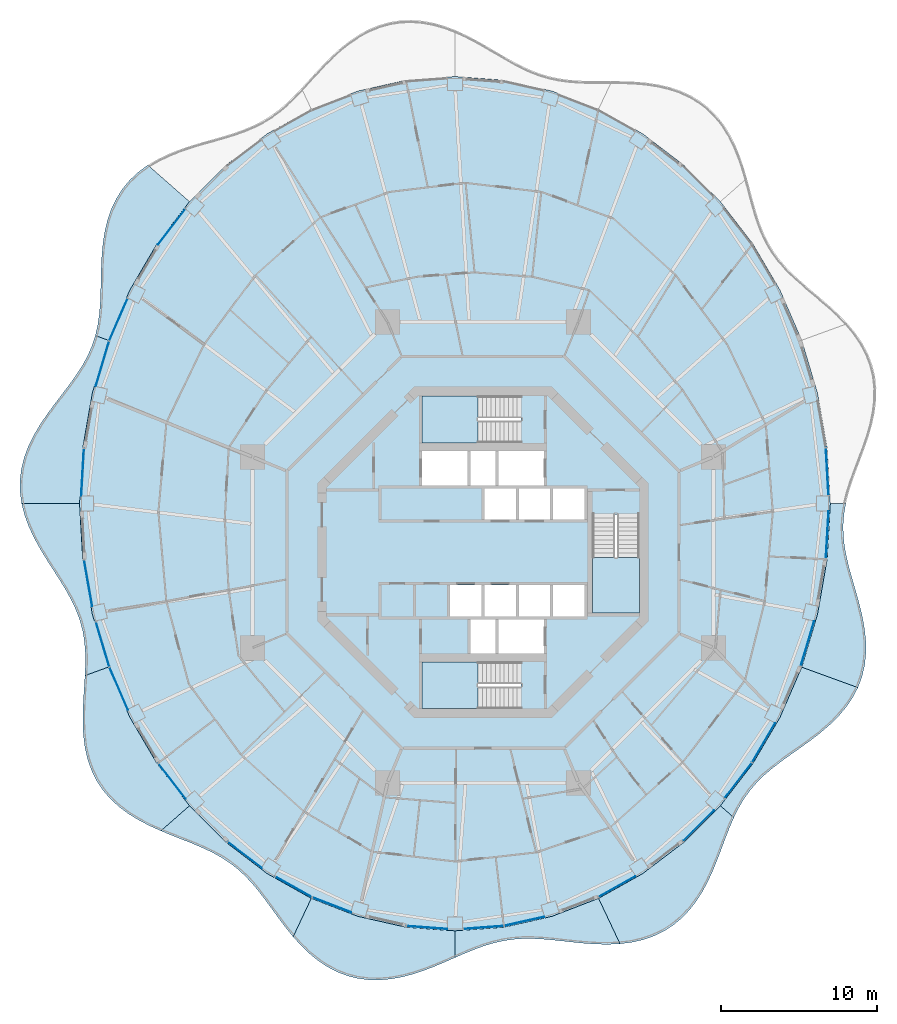
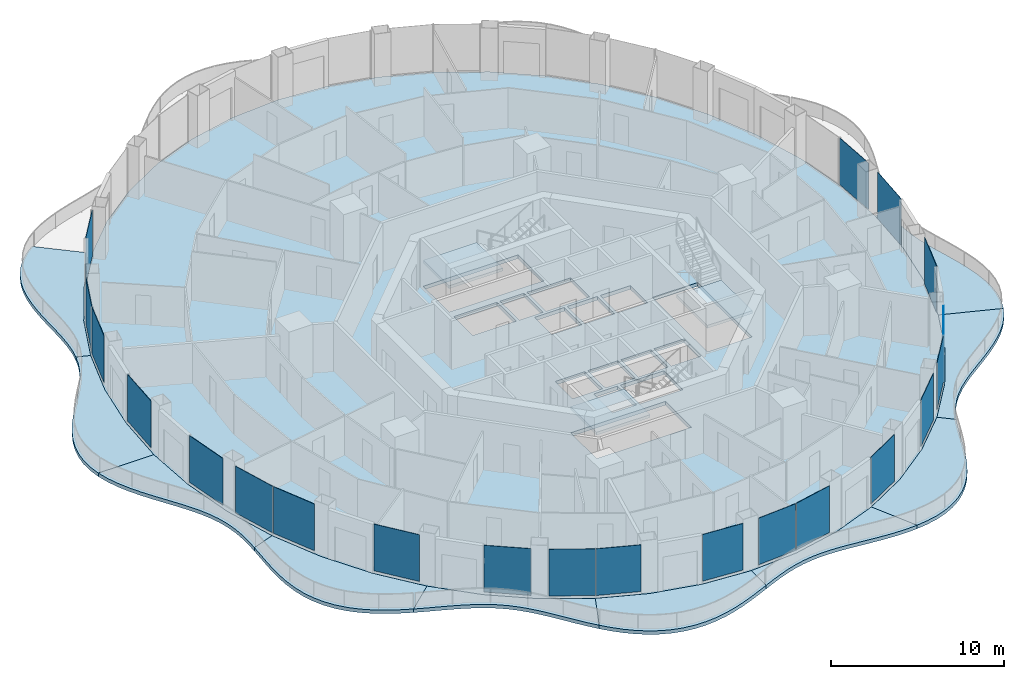
# One storey, part 8 of 18: 21 plates, 14 slabs, 24 elements without a shape of their own.
"""IFC4 building model written with IfcOpenShell, lengths in metres."""

from ifc_helpers import new_model, si_unit, direction, frame, origin, origin_2d, place, context, subcontext, project, spatial, polyline, rectangle, outline, extrude, material, layer, layer_set, type_object, element, aggregate, save


model = new_model("IFC4")

# Units and contexts
model_context = context("Model", 3, precision=1e-05, world=origin(), true_north=direction((0.0, 1.0)))
body_context = subcontext(model_context, "Body", "Model", "MODEL_VIEW")
ifc_project = project(units=[si_unit("LENGTHUNIT", "METRE"), si_unit("AREAUNIT", "SQUARE_METRE"), si_unit("VOLUMEUNIT", "CUBIC_METRE"), si_unit("PLANEANGLEUNIT", "RADIAN"), si_unit("MASSUNIT", "GRAM", prefix="KILO")], contexts=[model_context])

# Site, building, storey
site_placement = place(None, origin())
site = spatial("IfcSite", under=ifc_project, at=site_placement, CompositionType="ELEMENT")
building_placement = place(site_placement, origin())
building = spatial("IfcBuilding", under=site, at=building_placement, Name="Nagisa Residences", CompositionType="ELEMENT")
storey_placement = place(building_placement, frame((0.0, 0.0, 230.699951171875)))
storey = spatial("IfcBuildingStorey", under=building, at=storey_placement, Name="L58", CompositionType="ELEMENT", Elevation=230.699951171875)

# Slabs
ifc_material_1 = material(Name="Concrete C40/50", Category="concrete")
ifc_layer_1 = layer(ifc_material_1, 0.25)
ifc_layer_set_1 = layer_set([ifc_layer_1], Name="BALCONY SLAB 250")
slab_type_1 = type_object("IfcSlabType", Name="BALCONY SLAB 250", PredefinedType="FLOOR", material=ifc_layer_set_1)
slab_1_placement = place(storey_placement, frame((0.0, 0.0, -0.25)))
element("IfcSlab", 1, at=slab_1_placement, inside=storey, type_object=slab_type_1, Name="slab:L58:bal06", PredefinedType="FLOOR", context=body_context, shape_type="SweptSolid", body=[
    extrude(outline(polyline([(-21.48974609375, 24.83154296875), (-22.09912109375, 24.3818359375), (-22.644287109375, 23.87109375), (-23.117919921875, 23.300537109375), (-23.515380859375, 22.674072265625), (-23.83544921875, 21.99853515625), (-24.080810546875, 21.2822265625), (-24.25732421875, 20.5341796875), (-24.374267578125, 19.765380859375), (-24.443603515625, 18.986083984375), (-24.479736328125, 18.206298828125), (-24.498291015625, 17.43505859375), (-24.514892578125, 16.6796875), (-24.54541015625, 15.945556640625), (-24.6044921875, 15.236328125), (-24.704345703125, 14.5537109375), (-24.854248046875, 13.896728515625), (-24.037841796875, 13.599365234375), (-22.645263671875, 16.812744140625), (-20.89599609375, 19.791748046875), (-18.820068359375, 22.4853515625), (-21.48974609375, 24.83154296875)])), origin(), (0.0, 0.0, 1.0), 0.25),
])
slab_2_placement = place(storey_placement, frame((0.0, 0.0, -0.25)))
element("IfcSlab", 2, at=slab_2_placement, inside=storey, type_object=slab_type_1, Name="slab:L58:bal07", PredefinedType="FLOOR", context=body_context, shape_type="SweptSolid", body=[
    extrude(outline(polyline([(-24.854248046875, 13.896728515625), (-25.068359375, 13.242919921875), (-25.344970703125, 12.609130859375), (-25.682373046875, 11.98974609375), (-26.07421875, 11.3779296875), (-26.51025390625, 10.766845703125), (-26.976318359375, 10.150146484375), (-27.4560546875, 9.521728515625), (-27.930908203125, 8.877197265625), (-28.381591796875, 8.21337890625), (-28.78955078125, 7.529296875), (-29.13720703125, 6.824951171875), (-29.40966796875, 6.102783203125), (-29.595458984375, 5.365966796875), (-29.68701171875, 4.619140625), (-29.68115234375, 3.867919921875), (-29.579345703125, 3.11767578125), (-25.8701171875, 3.11767578125), (-25.6640625, 6.69287109375), (-25.0498046875, 10.206787109375), (-24.037841796875, 13.599365234375), (-24.854248046875, 13.896728515625)])), origin(), (0.0, 0.0, 1.0), 0.25),
])
slab_3_placement = place(storey_placement, frame((0.0, 0.0, -0.25)))
element("IfcSlab", 3, at=slab_3_placement, inside=storey, type_object=slab_type_1, Name="slab:L58:bal08", PredefinedType="FLOOR", context=body_context, shape_type="SweptSolid", body=[
    extrude(outline(polyline([(-29.579345703125, 3.11767578125), (-29.387939453125, 2.373779296875), (-29.11669921875, 1.640625), (-28.77978515625, 0.922119140625), (-28.393798828125, 0.22021484375), (-27.9775390625, -0.464599609375), (-27.55029296875, -1.133056640625), (-27.130615234375, -1.788330078125), (-26.73681640625, -2.43408203125), (-26.383544921875, -3.075439453125), (-26.082763671875, -3.71875), (-25.8427734375, -4.369873046875), (-25.6669921875, -5.0341796875), (-25.554443359375, -5.71728515625), (-25.499755859375, -6.42236328125), (-25.493408203125, -7.1513671875), (-25.5224609375, -7.904541015625), (-24.037841796875, -7.364013671875), (-25.0498046875, -3.971435546875), (-25.6640625, -0.45751953125), (-25.8701171875, 3.11767578125), (-29.579345703125, 3.11767578125)])), origin(), (0.0, 0.0, 1.0), 0.25),
])
slab_4_placement = place(storey_placement, frame((0.0, 0.0, -0.25)))
element("IfcSlab", 4, at=slab_4_placement, inside=storey, type_object=slab_type_1, Name="slab:L58:bal09", PredefinedType="FLOOR", context=body_context, shape_type="SweptSolid", body=[
    extrude(outline(polyline([(-25.5224609375, -7.904541015625), (-25.569580078125, -8.655029296875), (-25.619140625, -9.421875), (-25.655029296875, -10.199462890625), (-25.660400390625, -10.980224609375), (-25.620361328125, -11.755859375), (-25.521484375, -12.517333984375), (-25.353515625, -13.254638671875), (-25.108642578125, -13.959228515625), (-24.783447265625, -14.623046875), (-24.37744140625, -15.2392578125), (-23.89453125, -15.8037109375), (-23.34130859375, -16.313720703125), (-22.7275390625, -16.77001953125), (-22.065673828125, -17.175537109375), (-21.368896484375, -17.5361328125), (-20.652099609375, -17.85986328125), (-18.820068359375, -16.25), (-20.89599609375, -13.556396484375), (-22.645263671875, -10.577392578125), (-24.037841796875, -7.364013671875), (-25.5224609375, -7.904541015625)])), origin(), (0.0, 0.0, 1.0), 0.25),
])
slab_5_placement = place(storey_placement, frame((0.0, 0.0, -0.25)))
element("IfcSlab", 5, at=slab_5_placement, inside=storey, type_object=slab_type_1, Name="slab:L58:bal10", PredefinedType="FLOOR", context=body_context, shape_type="SweptSolid", body=[
    extrude(outline(polyline([(-20.652099609375, -17.85986328125), (-19.962890625, -18.143310546875), (-19.27978515625, -18.412353515625), (-18.61328125, -18.677978515625), (-17.9716796875, -18.950439453125), (-17.361328125, -19.24072265625), (-16.785400390625, -19.557861328125), (-16.24560546875, -19.909423828125), (-15.740478515625, -20.30078125), (-15.265625, -20.735595703125), (-14.81591796875, -21.21337890625), (-14.38330078125, -21.73193359375), (-13.95947265625, -22.28564453125), (-13.53515625, -22.86572265625), (-13.101318359375, -23.4619140625), (-12.6494140625, -24.061279296875), (-12.171875, -24.650146484375), (-11.01123046875, -22.187255859375), (-13.8349609375, -20.602783203125), (-16.452880859375, -18.6123046875), (-18.820068359375, -16.25), (-20.652099609375, -17.85986328125)])), origin(), (0.0, 0.0, 1.0), 0.25),
])
slab_6_placement = place(storey_placement, frame((0.0, 0.0, -0.25)))
element("IfcSlab", 6, at=slab_6_placement, inside=storey, type_object=slab_type_1, Name="slab:L58:bal11", PredefinedType="FLOOR", context=body_context, shape_type="SweptSolid", body=[
    extrude(outline(polyline([(-12.171875, -24.650146484375), (-11.68212890625, -25.19384765625), (-11.15966796875, -25.700927734375), (-10.6025390625, -26.159423828125), (-10.0107421875, -26.55810546875), (-9.38623046875, -26.887939453125), (-8.732177734375, -27.141845703125), (-8.053466796875, -27.31591796875), (-7.355712890625, -27.408935546875), (-6.6455078125, -27.42236328125), (-5.92919921875, -27.361328125), (-5.21337890625, -27.233154296875), (-4.503662109375, -27.0478515625), (-3.8046875, -26.8173828125), (-3.119873046875, -26.554443359375), (-2.45166015625, -26.2734375), (-1.800048828125, -25.98828125), (-1.800048828125, -24.272216796875), (-4.941650390625, -24.0380859375), (-8.02978515625, -23.339111328125), (-11.01123046875, -22.187255859375), (-12.171875, -24.650146484375)])), origin(), (0.0, 0.0, 1.0), 0.25),
])
slab_7_placement = place(storey_placement, frame((0.0, 0.0, -0.25)))
element("IfcSlab", 7, at=slab_7_placement, inside=storey, type_object=slab_type_1, Name="slab:L58:bal12", PredefinedType="FLOOR", context=body_context, shape_type="SweptSolid", body=[
    extrude(outline(polyline([(-1.800048828125, -25.98828125), (-1.164306640625, -25.71240234375), (-0.541748046875, -25.457763671875), (0.07080078125, -25.234619140625), (0.67822265625, -25.051025390625), (1.285400390625, -24.911865234375), (1.8974609375, -24.819580078125), (2.519287109375, -24.773193359375), (3.155029296875, -24.76904296875), (3.807373046875, -24.800537109375), (4.478515625, -24.858642578125), (5.16796875, -24.932861328125), (5.874755859375, -25.0107421875), (6.595458984375, -25.079345703125), (7.324951171875, -25.125732421875), (8.057373046875, -25.1376953125), (8.78564453125, -25.103271484375), (7.4111328125, -22.187255859375), (4.4296875, -23.339111328125), (1.341796875, -24.0380859375), (-1.800048828125, -24.272216796875), (-1.800048828125, -25.98828125)])), origin(), (0.0, 0.0, 1.0), 0.25),
])
slab_8_placement = place(storey_placement, frame((0.0, 0.0, -0.25)))
element("IfcSlab", 8, at=slab_8_placement, inside=storey, type_object=slab_type_1, Name="slab:L58:bal13", PredefinedType="FLOOR", context=body_context, shape_type="SweptSolid", body=[
    extrude(outline(polyline([(8.78564453125, -25.103271484375), (9.528076171875, -25.0087890625), (10.248291015625, -24.845947265625), (10.9375, -24.609375), (11.587646484375, -24.29638671875), (12.1923828125, -23.907470703125), (12.746826171875, -23.44677734375), (13.248291015625, -22.92041015625), (13.696533203125, -22.337158203125), (14.093994140625, -21.707763671875), (14.445556640625, -21.043701171875), (14.757568359375, -20.358154296875), (15.03955078125, -19.6630859375), (15.301513671875, -18.970458984375), (15.5546875, -18.291259765625), (15.810791015625, -17.63427734375), (16.080810546875, -17.00634765625), (15.219970703125, -16.25), (12.852783203125, -18.6123046875), (10.235107421875, -20.602783203125), (7.4111328125, -22.187255859375), (8.78564453125, -25.103271484375)])), origin(), (0.0, 0.0, 1.0), 0.25),
])
slab_9_placement = place(storey_placement, frame((0.0, 0.0, -0.25)))
element("IfcSlab", 9, at=slab_9_placement, inside=storey, type_object=slab_type_1, Name="slab:L58:bal14", PredefinedType="FLOOR", context=body_context, shape_type="SweptSolid", body=[
    extrude(outline(polyline([(16.080810546875, -17.00634765625), (16.390380859375, -16.384033203125), (16.736572265625, -15.801025390625), (17.126708984375, -15.25732421875), (17.565185546875, -14.749755859375), (18.052978515625, -14.2724609375), (18.58740234375, -13.818115234375), (19.162109375, -13.377685546875), (19.76806640625, -12.942138671875), (20.392822265625, -12.501220703125), (21.0224609375, -12.0458984375), (21.64111328125, -11.568115234375), (22.232666015625, -11.06103515625), (22.781494140625, -10.519775390625), (23.273193359375, -9.94189453125), (23.695068359375, -9.326171875), (24.037841796875, -8.67431640625), (20.437744140625, -7.364013671875), (19.045166015625, -10.577392578125), (17.2958984375, -13.556396484375), (15.219970703125, -16.25), (16.080810546875, -17.00634765625)])), origin(), (0.0, 0.0, 1.0), 0.25),
])
slab_10_placement = place(storey_placement, frame((0.0, 0.0, -0.25)))
element("IfcSlab", 10, at=slab_10_placement, inside=storey, type_object=slab_type_1, Name="slab:L58:bal15", PredefinedType="FLOOR", context=body_context, shape_type="SweptSolid", body=[
    extrude(outline(polyline([(24.037841796875, -8.67431640625), (24.3017578125, -7.96728515625), (24.472412109375, -7.230224609375), (24.551513671875, -6.4697265625), (24.545166015625, -5.693115234375), (24.4638671875, -4.908203125), (24.32177734375, -4.1220703125), (24.135009765625, -3.341064453125), (23.92236328125, -2.57080078125), (23.702880859375, -1.814453125), (23.49560546875, -1.07421875), (23.3173828125, -0.350341796875), (23.18359375, 0.35888671875), (23.105712890625, 1.055908203125), (23.09130859375, 1.744873046875), (23.143310546875, 2.430419921875), (23.260498046875, 3.11767578125), (22.27001953125, 3.11767578125), (22.06396484375, -0.45751953125), (21.449951171875, -3.971435546875), (20.437744140625, -7.364013671875), (24.037841796875, -8.67431640625)])), origin(), (0.0, 0.0, 1.0), 0.25),
])

# Curtain wall, plate
ifc_material_2 = material(Name="Concrete-coloured aluminium curtain wall system", Category="concrete")
ifc_layer_2 = layer(ifc_material_2, 0.159912109375)
ifc_layer_set_2 = layer_set([ifc_layer_2], Name="CW1 CURTAIN WALL")
curtain_wall_type = type_object("IfcCurtainWallType", Name="CW1 CURTAIN WALL", PredefinedType="NOTDEFINED", material=ifc_layer_set_2)
curtain_wall_1_placement = place(storey_placement, origin())
curtain_wall_1 = element("IfcCurtainWall", 11, at=curtain_wall_1_placement, inside=storey, type_object=curtain_wall_type, Name="cw:CW1:L58:00", PredefinedType="NOTDEFINED")
ifc_material_3 = material(Name="Clear laminated glass", Category="glass")
ifc_layer_3 = layer(ifc_material_3, 0.028076171875)
ifc_layer_set_3 = layer_set([ifc_layer_3], Name="CW1 GLASS PANEL")
plate_type = type_object("IfcPlateType", Name="CW1 GLASS PANEL", PredefinedType="CURTAIN_PANEL", material=ifc_layer_set_3)
plate_1_placement = place(storey_placement, frame((22.071044921875, 5.18017578125, 0.150146484375), z_axis=(0.0, 0.0, 1.0), x_axis=(-0.057503492216, 0.998345305184, 0.0)))
plate_1 = element("IfcPlate", 12, at=plate_1_placement, type_object=plate_type, Name="CW1 panel", PredefinedType="CURTAIN_PANEL", context=body_context, shape_type="SweptSolid", body=[
    extrude(rectangle(XDim=3.02099609375, YDim=0.028076171875, at=origin_2d()), origin(), (0.0, 0.0, 1.0), 3.2900390625),
])
aggregate(curtain_wall_1, [plate_1])

curtain_wall_2_placement = place(storey_placement, origin())
curtain_wall_2 = element("IfcCurtainWall", 13, at=curtain_wall_2_placement, inside=storey, type_object=curtain_wall_type, Name="cw:CW1:L58:18", PredefinedType="NOTDEFINED")
plate_2_placement = place(storey_placement, frame((-19.965576171875, 20.867919921875, 0.150146484375), z_axis=(0.0, 0.0, 1.0), x_axis=(-0.610429828235, -0.792070340816, 0.0)))
plate_2 = element("IfcPlate", 14, at=plate_2_placement, type_object=plate_type, Name="CW1 panel", PredefinedType="CURTAIN_PANEL", context=body_context, shape_type="SweptSolid", body=[
    extrude(rectangle(XDim=2.8408203125, YDim=0.028076171875, at=origin_2d()), origin(), (0.0, 0.0, 1.0), 3.2900390625),
])
aggregate(curtain_wall_2, [plate_2])

curtain_wall_3_placement = place(storey_placement, origin())
curtain_wall_3 = element("IfcCurtainWall", 15, at=curtain_wall_3_placement, inside=storey, type_object=curtain_wall_type, Name="cw:CW1:L58:20", PredefinedType="NOTDEFINED")
plate_3_placement = place(storey_placement, frame((-23.37939453125, 14.917236328125, 0.150146484375), z_axis=(0.0, 0.0, 1.0), x_axis=(-0.397635934147, -0.917543276295, 0.0)))
plate_3 = element("IfcPlate", 16, at=plate_3_placement, type_object=plate_type, Name="CW1 panel", PredefinedType="CURTAIN_PANEL", context=body_context, shape_type="SweptSolid", body=[
    extrude(rectangle(XDim=2.942138671875, YDim=0.028076171875, at=origin_2d()), origin(), (0.0, 0.0, 1.0), 3.2900390625),
])
aggregate(curtain_wall_3, [plate_3])

curtain_wall_4_placement = place(storey_placement, origin())
curtain_wall_4 = element("IfcCurtainWall", 17, at=curtain_wall_4_placement, inside=storey, type_object=curtain_wall_type, Name="cw:CW1:L58:21", PredefinedType="NOTDEFINED")
plate_4_placement = place(storey_placement, frame((-24.404296875, 12.091064453125, 0.150146484375), z_axis=(0.0, 0.0, 1.0), x_axis=(-0.285860274038, -0.958271310082, 0.0)))
plate_4 = element("IfcPlate", 18, at=plate_4_placement, type_object=plate_type, Name="CW1 panel", PredefinedType="CURTAIN_PANEL", context=body_context, shape_type="SweptSolid", body=[
    extrude(rectangle(XDim=2.98046875, YDim=0.028076171875, at=origin_2d()), origin(), (0.0, 0.0, 1.0), 3.2900390625),
])
aggregate(curtain_wall_4, [plate_4])

curtain_wall_5_placement = place(storey_placement, origin())
curtain_wall_5 = element("IfcCurtainWall", 19, at=curtain_wall_5_placement, inside=storey, type_object=curtain_wall_type, Name="cw:CW1:L58:23", PredefinedType="NOTDEFINED")
plate_5_placement = place(storey_placement, frame((-25.674560546875, 5.120361328125, 0.150146484375), z_axis=(0.0, 0.0, 1.0), x_axis=(-0.057503492216, -0.998345305184, 0.0)))
plate_5 = element("IfcPlate", 20, at=plate_5_placement, type_object=plate_type, Name="CW1 panel", PredefinedType="CURTAIN_PANEL", context=body_context, shape_type="SweptSolid", body=[
    extrude(rectangle(XDim=3.02099609375, YDim=0.028076171875, at=origin_2d()), origin(), (0.0, 0.0, 1.0), 3.2900390625),
])
aggregate(curtain_wall_5, [plate_5])

curtain_wall_6_placement = place(storey_placement, origin())
curtain_wall_6 = element("IfcCurtainWall", 21, at=curtain_wall_6_placement, inside=storey, type_object=curtain_wall_type, Name="cw:CW1:L58:25", PredefinedType="NOTDEFINED")
plate_6_placement = place(storey_placement, frame((-25.31591796875, -1.98388671875, 0.150146484375), z_axis=(0.0, 0.0, 1.0), x_axis=(0.172190868898, -0.985063604377, 0.0)))
plate_6 = element("IfcPlate", 22, at=plate_6_placement, type_object=plate_type, Name="CW1 panel", PredefinedType="CURTAIN_PANEL", context=body_context, shape_type="SweptSolid", body=[
    extrude(rectangle(XDim=3.00732421875, YDim=0.028076171875, at=origin_2d()), origin(), (0.0, 0.0, 1.0), 3.2900390625),
])
aggregate(curtain_wall_6, [plate_6])

curtain_wall_7_placement = place(storey_placement, origin())
curtain_wall_7 = element("IfcCurtainWall", 23, at=curtain_wall_7_placement, inside=storey, type_object=curtain_wall_type, Name="cw:CW1:L58:26", PredefinedType="NOTDEFINED")
plate_7_placement = place(storey_placement, frame((-24.38720703125, -5.9130859375, 0.150146484375), z_axis=(0.0, 0.0, 1.0), x_axis=(0.285860274038, -0.958271310082, 0.0)))
plate_7 = element("IfcPlate", 24, at=plate_7_placement, type_object=plate_type, Name="CW1 panel", PredefinedType="CURTAIN_PANEL", context=body_context, shape_type="SweptSolid", body=[
    extrude(rectangle(XDim=2.98046875, YDim=0.028076171875, at=origin_2d()), origin(), (0.0, 0.0, 1.0), 3.2900390625),
])
aggregate(curtain_wall_7, [plate_7])

curtain_wall_8_placement = place(storey_placement, origin())
curtain_wall_8 = element("IfcCurtainWall", 25, at=curtain_wall_8_placement, inside=storey, type_object=curtain_wall_type, Name="cw:CW1:L58:27", PredefinedType="NOTDEFINED")
plate_8_placement = place(storey_placement, frame((-23.35546875, -8.737060546875, 0.150146484375), z_axis=(0.0, 0.0, 1.0), x_axis=(0.397635934147, -0.917543276295, 0.0)))
plate_8 = element("IfcPlate", 26, at=plate_8_placement, type_object=plate_type, Name="CW1 panel", PredefinedType="CURTAIN_PANEL", context=body_context, shape_type="SweptSolid", body=[
    extrude(rectangle(XDim=2.942138671875, YDim=0.028076171875, at=origin_2d()), origin(), (0.0, 0.0, 1.0), 3.2900390625),
])
aggregate(curtain_wall_8, [plate_8])

curtain_wall_9_placement = place(storey_placement, origin())
curtain_wall_9 = element("IfcCurtainWall", 27, at=curtain_wall_9_placement, inside=storey, type_object=curtain_wall_type, Name="cw:CW1:L58:29", PredefinedType="NOTDEFINED")
plate_9_placement = place(storey_placement, frame((-19.928955078125, -14.679931640625, 0.150146484375), z_axis=(0.0, 0.0, 1.0), x_axis=(0.610429828235, -0.792070340816, 0.0)))
plate_9 = element("IfcPlate", 28, at=plate_9_placement, type_object=plate_type, Name="CW1 panel", PredefinedType="CURTAIN_PANEL", context=body_context, shape_type="SweptSolid", body=[
    extrude(rectangle(XDim=2.8408203125, YDim=0.028076171875, at=origin_2d()), origin(), (0.0, 0.0, 1.0), 3.2900390625),
])
aggregate(curtain_wall_9, [plate_9])

curtain_wall_10_placement = place(storey_placement, origin())
curtain_wall_10 = element("IfcCurtainWall", 29, at=curtain_wall_10_placement, inside=storey, type_object=curtain_wall_type, Name="cw:CW1:L58:31", PredefinedType="NOTDEFINED")
plate_10_placement = place(storey_placement, frame((-15.270751953125, -19.41064453125, 0.150146484375), z_axis=(0.0, 0.0, 1.0), x_axis=(0.79603132756, -0.605255421737, 0.0)))
plate_10 = element("IfcPlate", 30, at=plate_10_placement, type_object=plate_type, Name="CW1 panel", PredefinedType="CURTAIN_PANEL", context=body_context, shape_type="SweptSolid", body=[
    extrude(rectangle(XDim=2.728759765625, YDim=0.028076171875, at=origin_2d()), origin(), (0.0, 0.0, 1.0), 3.2900390625),
])
aggregate(curtain_wall_10, [plate_10])

curtain_wall_11_placement = place(storey_placement, origin())
curtain_wall_11 = element("IfcCurtainWall", 31, at=curtain_wall_11_placement, inside=storey, type_object=curtain_wall_type, Name="cw:CW1:L58:32", PredefinedType="NOTDEFINED")
plate_11_placement = place(storey_placement, frame((-12.1396484375, -21.46240234375, 0.150146484375), z_axis=(0.0, 0.0, 1.0), x_axis=(0.872072377523, -0.489376918501, 0.0)))
plate_11 = element("IfcPlate", 32, at=plate_11_placement, type_object=plate_type, Name="CW1 panel", PredefinedType="CURTAIN_PANEL", context=body_context, shape_type="SweptSolid", body=[
    extrude(rectangle(XDim=2.677978515625, YDim=0.028076171875, at=origin_2d()), origin(), (0.0, 0.0, 1.0), 3.2900390625),
])
aggregate(curtain_wall_11, [plate_11])

curtain_wall_12_placement = place(storey_placement, origin())
curtain_wall_12 = element("IfcCurtainWall", 33, at=curtain_wall_12_placement, inside=storey, type_object=curtain_wall_type, Name="cw:CW1:L58:33", PredefinedType="NOTDEFINED")
plate_12_placement = place(storey_placement, frame((-9.69677734375, -22.609375, 0.150146484375), z_axis=(0.0, 0.0, 1.0), x_axis=(0.932825759707, -0.360327770268, 0.0)))
plate_12 = element("IfcPlate", 34, at=plate_12_placement, type_object=plate_type, Name="CW1 panel", PredefinedType="CURTAIN_PANEL", context=body_context, shape_type="SweptSolid", body=[
    extrude(rectangle(XDim=2.63623046875, YDim=0.028076171875, at=origin_2d()), origin(), (0.0, 0.0, 1.0), 3.2900390625),
])
aggregate(curtain_wall_12, [plate_12])

curtain_wall_13_placement = place(storey_placement, origin())
curtain_wall_13 = element("IfcCurtainWall", 35, at=curtain_wall_13_placement, inside=storey, type_object=curtain_wall_type, Name="cw:CW1:L58:35", PredefinedType="NOTDEFINED")
plate_13_placement = place(storey_placement, frame((-3.584228515625, -24.05908203125, 0.150146484375), z_axis=(0.0, 0.0, 1.0), x_axis=(0.997230168512, -0.074377355493, 0.0)))
plate_13 = element("IfcPlate", 36, at=plate_13_placement, type_object=plate_type, Name="CW1 panel", PredefinedType="CURTAIN_PANEL", context=body_context, shape_type="SweptSolid", body=[
    extrude(rectangle(XDim=2.590576171875, YDim=0.028076171875, at=origin_2d()), origin(), (0.0, 0.0, 1.0), 3.2900390625),
])
aggregate(curtain_wall_13, [plate_13])

curtain_wall_14_placement = place(storey_placement, origin())
curtain_wall_14 = element("IfcCurtainWall", 37, at=curtain_wall_14_placement, inside=storey, type_object=curtain_wall_type, Name="cw:CW1:L58:36", PredefinedType="NOTDEFINED")
plate_14_placement = place(storey_placement, frame((0.044189453125, -24.054443359375, 0.150146484375), z_axis=(0.0, 0.0, 1.0), x_axis=(0.997230168512, 0.074377355493, 0.0)))
plate_14 = element("IfcPlate", 38, at=plate_14_placement, type_object=plate_type, Name="CW1 panel", PredefinedType="CURTAIN_PANEL", context=body_context, shape_type="SweptSolid", body=[
    extrude(rectangle(XDim=2.590576171875, YDim=0.028076171875, at=origin_2d()), origin(), (0.0, 0.0, 1.0), 3.2900390625),
])
aggregate(curtain_wall_14, [plate_14])

curtain_wall_15_placement = place(storey_placement, origin())
curtain_wall_15 = element("IfcCurtainWall", 39, at=curtain_wall_15_placement, inside=storey, type_object=curtain_wall_type, Name="cw:CW1:L58:37", PredefinedType="NOTDEFINED")
plate_15_placement = place(storey_placement, frame((2.653564453125, -23.658935546875, 0.150146484375), z_axis=(0.0, 0.0, 1.0), x_axis=(0.975327274089, 0.2207639201, 0.0)))
plate_15 = element("IfcPlate", 40, at=plate_15_placement, type_object=plate_type, Name="CW1 panel", PredefinedType="CURTAIN_PANEL", context=body_context, shape_type="SweptSolid", body=[
    extrude(rectangle(XDim=2.606201171875, YDim=0.028076171875, at=origin_2d()), origin(), (0.0, 0.0, 1.0), 3.2900390625),
])
aggregate(curtain_wall_15, [plate_15])

curtain_wall_16_placement = place(storey_placement, origin())
curtain_wall_16 = element("IfcCurtainWall", 41, at=curtain_wall_16_placement, inside=storey, type_object=curtain_wall_type, Name="cw:CW1:L58:39", PredefinedType="NOTDEFINED")
plate_16_placement = place(storey_placement, frame((8.592041015625, -21.432861328125, 0.150146484375), z_axis=(0.0, 0.0, 1.0), x_axis=(0.872072377523, 0.489376918501, 0.0)))
plate_16 = element("IfcPlate", 42, at=plate_16_placement, type_object=plate_type, Name="CW1 panel", PredefinedType="CURTAIN_PANEL", context=body_context, shape_type="SweptSolid", body=[
    extrude(rectangle(XDim=2.677978515625, YDim=0.028076171875, at=origin_2d()), origin(), (0.0, 0.0, 1.0), 3.2900390625),
])
aggregate(curtain_wall_16, [plate_16])

curtain_wall_17_placement = place(storey_placement, origin())
curtain_wall_17 = element("IfcCurtainWall", 43, at=curtain_wall_17_placement, inside=storey, type_object=curtain_wall_type, Name="cw:CW1:L58:41", PredefinedType="NOTDEFINED")
plate_17_placement = place(storey_placement, frame((13.82421875, -17.52978515625, 0.150146484375), z_axis=(0.0, 0.0, 1.0), x_axis=(0.707835924016, 0.706376885714, 0.0)))
plate_17 = element("IfcPlate", 44, at=plate_17_placement, type_object=plate_type, Name="CW1 panel", PredefinedType="CURTAIN_PANEL", context=body_context, shape_type="SweptSolid", body=[
    extrude(rectangle(XDim=2.7841796875, YDim=0.028076171875, at=origin_2d()), origin(), (0.0, 0.0, 1.0), 3.2900390625),
])
aggregate(curtain_wall_17, [plate_17])

curtain_wall_18_placement = place(storey_placement, origin())
curtain_wall_18 = element("IfcCurtainWall", 45, at=curtain_wall_18_placement, inside=storey, type_object=curtain_wall_type, Name="cw:CW1:L58:42", PredefinedType="NOTDEFINED")
plate_18_placement = place(storey_placement, frame((16.365478515625, -14.632568359375, 0.150146484375), z_axis=(0.0, 0.0, 1.0), x_axis=(0.610429828235, 0.792070340816, 0.0)))
plate_18 = element("IfcPlate", 46, at=plate_18_placement, type_object=plate_type, Name="CW1 panel", PredefinedType="CURTAIN_PANEL", context=body_context, shape_type="SweptSolid", body=[
    extrude(rectangle(XDim=2.8408203125, YDim=0.028076171875, at=origin_2d()), origin(), (0.0, 0.0, 1.0), 3.2900390625),
])
aggregate(curtain_wall_18, [plate_18])

curtain_wall_19_placement = place(storey_placement, origin())
curtain_wall_19 = element("IfcCurtainWall", 47, at=curtain_wall_19_placement, inside=storey, type_object=curtain_wall_type, Name="cw:CW1:L58:43", PredefinedType="NOTDEFINED")
plate_19_placement = place(storey_placement, frame((17.990234375, -12.216064453125, 0.150146484375), z_axis=(0.0, 0.0, 1.0), x_axis=(0.506348567002, 0.862328898214, 0.0)))
plate_19 = element("IfcPlate", 48, at=plate_19_placement, type_object=plate_type, Name="CW1 panel", PredefinedType="CURTAIN_PANEL", context=body_context, shape_type="SweptSolid", body=[
    extrude(rectangle(XDim=2.89453125, YDim=0.028076171875, at=origin_2d()), origin(), (0.0, 0.0, 1.0), 3.2900390625),
])
aggregate(curtain_wall_19, [plate_19])

curtain_wall_20_placement = place(storey_placement, origin())
curtain_wall_20 = element("IfcCurtainWall", 49, at=curtain_wall_20_placement, inside=storey, type_object=curtain_wall_type, Name="cw:CW1:L58:45", PredefinedType="NOTDEFINED")
plate_20_placement = place(storey_placement, frame((20.80419921875, -5.855712890625, 0.150146484375), z_axis=(0.0, 0.0, 1.0), x_axis=(0.285860274038, 0.958271310082, 0.0)))
plate_20 = element("IfcPlate", 50, at=plate_20_placement, type_object=plate_type, Name="CW1 panel", PredefinedType="CURTAIN_PANEL", context=body_context, shape_type="SweptSolid", body=[
    extrude(rectangle(XDim=2.98046875, YDim=0.028076171875, at=origin_2d()), origin(), (0.0, 0.0, 1.0), 3.2900390625),
])
aggregate(curtain_wall_20, [plate_20])

curtain_wall_21_placement = place(storey_placement, origin())
curtain_wall_21 = element("IfcCurtainWall", 51, at=curtain_wall_21_placement, inside=storey, type_object=curtain_wall_type, Name="cw:CW1:L58:47", PredefinedType="NOTDEFINED")
plate_21_placement = place(storey_placement, frame((22.074462890625, 1.114990234375, 0.150146484375), z_axis=(0.0, 0.0, 1.0), x_axis=(0.057503492216, 0.998345305184, 0.0)))
plate_21 = element("IfcPlate", 52, at=plate_21_placement, type_object=plate_type, Name="CW1 panel", PredefinedType="CURTAIN_PANEL", context=body_context, shape_type="SweptSolid", body=[
    extrude(rectangle(XDim=3.02099609375, YDim=0.028076171875, at=origin_2d()), origin(), (0.0, 0.0, 1.0), 3.2900390625),
])
aggregate(curtain_wall_21, [plate_21])

# Slab
ifc_material_4 = material(Name="Concrete C40", Category="concrete")
ifc_layer_4 = layer(ifc_material_4, 0.260009765625)
ifc_layer_set_4 = layer_set([ifc_layer_4], Name="Floor slab 260")
slab_type_2 = type_object("IfcSlabType", Name="Floor slab 260", PredefinedType="FLOOR", material=ifc_layer_set_4)
slab_11_placement = place(storey_placement, frame((0.0, 0.0, -0.260009765625)))
element("IfcSlab", 53, at=slab_11_placement, inside=storey, type_object=slab_type_2, Name="slab:L58:floor", PredefinedType="FLOOR", context=body_context, shape_type="SweptSolid", body=[
    extrude(outline(polyline([(22.27001953125, 3.11767578125), (22.06396484375, 6.69287109375), (21.449951171875, 10.206787109375), (20.437744140625, 13.599365234375), (19.045166015625, 16.812744140625), (17.2958984375, 19.791748046875), (15.219970703125, 22.4853515625), (12.852783203125, 24.84765625), (10.235107421875, 26.838134765625), (7.4111328125, 28.4228515625), (4.4296875, 29.574462890625), (1.341796875, 30.2734375), (-1.800048828125, 30.5078125), (-4.941650390625, 30.2734375), (-8.02978515625, 29.574462890625), (-11.01123046875, 28.4228515625), (-13.8349609375, 26.838134765625), (-16.452880859375, 24.84765625), (-18.820068359375, 22.4853515625), (-20.89599609375, 19.791748046875), (-22.645263671875, 16.812744140625), (-24.037841796875, 13.599365234375), (-25.0498046875, 10.206787109375), (-25.6640625, 6.69287109375), (-25.8701171875, 3.11767578125), (-25.6640625, -0.45751953125), (-25.0498046875, -3.971435546875), (-24.037841796875, -7.364013671875), (-22.645263671875, -10.577392578125), (-20.89599609375, -13.556396484375), (-18.820068359375, -16.25), (-16.452880859375, -18.6123046875), (-13.8349609375, -20.602783203125), (-11.01123046875, -22.187255859375), (-8.02978515625, -23.339111328125), (-4.941650390625, -24.0380859375), (-1.800048828125, -24.272216796875), (1.341796875, -24.0380859375), (4.4296875, -23.339111328125), (7.4111328125, -22.187255859375), (10.235107421875, -20.602783203125), (12.852783203125, -18.6123046875), (15.219970703125, -16.25), (17.2958984375, -13.556396484375), (19.045166015625, -10.577392578125), (20.437744140625, -7.364013671875), (21.449951171875, -3.971435546875), (22.06396484375, -0.45751953125), (22.27001953125, 3.11767578125)]), holes=[polyline([(2.10009765625, 2.10009765625), (2.10009765625, 4.10009765625), (0.10009765625, 4.10009765625), (0.10009765625, 2.10009765625), (2.10009765625, 2.10009765625)]), polyline([(4.300048828125, 2.10009765625), (4.300048828125, 4.10009765625), (2.300048828125, 4.10009765625), (2.300048828125, 2.10009765625), (4.300048828125, 2.10009765625)]), polyline([(6.5, 2.10009765625), (6.5, 4.10009765625), (4.5, 4.10009765625), (4.5, 2.10009765625), (6.5, 2.10009765625)]), polyline([(-0.10009765625, -4.10009765625), (-0.10009765625, -2.10009765625), (-2.10009765625, -2.10009765625), (-2.10009765625, -4.10009765625), (-0.10009765625, -4.10009765625)]), polyline([(2.10009765625, -4.10009765625), (2.10009765625, -2.10009765625), (0.10009765625, -2.10009765625), (0.10009765625, -4.10009765625), (2.10009765625, -4.10009765625)]), polyline([(4.300048828125, -4.10009765625), (4.300048828125, -2.10009765625), (2.300048828125, -2.10009765625), (2.300048828125, -4.10009765625), (4.300048828125, -4.10009765625)]), polyline([(6.5, -4.10009765625), (6.5, -2.10009765625), (4.5, -2.10009765625), (4.5, -4.10009765625), (6.5, -4.10009765625)]), polyline([(3.89990234375, 4.300048828125), (3.89990234375, 6.5), (1.0, 6.5), (1.0, 4.300048828125), (3.89990234375, 4.300048828125)]), polyline([(3.89990234375, -6.5), (3.89990234375, -4.300048828125), (1.0, -4.300048828125), (1.0, -6.5), (3.89990234375, -6.5)]), polyline([(-1.0, 4.300048828125), (-1.0, 6.5), (-3.89990234375, 6.5), (-3.89990234375, 4.300048828125), (-1.0, 4.300048828125)]), polyline([(0.800048828125, 4.300048828125), (0.800048828125, 6.5), (-0.800048828125, 6.5), (-0.800048828125, 4.300048828125), (0.800048828125, 4.300048828125)]), polyline([(0.800048828125, -6.5), (0.800048828125, -4.300048828125), (-0.800048828125, -4.300048828125), (-0.800048828125, -6.5), (0.800048828125, -6.5)]), polyline([(10.024658203125, -3.89990234375), (7.024658203125, -3.89990234375), (7.024658203125, 2.425048828125), (10.024658203125, 2.425048828125), (10.024658203125, -3.89990234375)]), polyline([(-3.89990234375, 7.024658203125), (-3.89990234375, 10.024658203125), (2.425048828125, 10.024658203125), (2.425048828125, 7.024658203125), (-3.89990234375, 7.024658203125)]), polyline([(-3.89990234375, -10.024658203125), (-3.89990234375, -7.024658203125), (2.425048828125, -7.024658203125), (2.425048828125, -10.024658203125), (-3.89990234375, -10.024658203125)])]), origin(), (0.0, 0.0, 1.0), 0.260009765625),
])

# Stair, slab
ifc_material_5 = material(Name="Concrete C60", Category="concrete")
stair_type = type_object("IfcStairType", Name="Exit stair", PredefinedType="HALF_TURN_STAIR", material=ifc_material_5)
stair_1_placement = place(storey_placement, origin())
stair_1 = element("IfcStair", 54, at=stair_1_placement, inside=storey, type_object=stair_type, Name="L58 Exit stair E", PredefinedType="HALF_TURN_STAIR")
ifc_material_6 = material(Name="Concrete C60", Category="concrete")
ifc_layer_5 = layer(ifc_material_6, 0.199951171875)
ifc_layer_set_5 = layer_set([ifc_layer_5], Name="Stair landing")
slab_type_3 = type_object("IfcSlabType", Name="Stair landing", PredefinedType="LANDING", material=ifc_layer_set_5)
slab_12_placement = place(storey_placement, frame((0.0, 0.0, 1.650146484375)))
slab_12 = element("IfcSlab", 55, at=slab_12_placement, type_object=slab_type_3, Name="ST-E landing 1", PredefinedType="LANDING", context=body_context, shape_type="SweptSolid", body=[
    extrude(outline(polyline([(7.024658203125, -0.324951171875), (7.024658203125, -3.89990234375), (10.024658203125, -3.89990234375), (10.024658203125, -0.324951171875), (7.024658203125, -0.324951171875)])), origin(), (0.0, 0.0, 1.0), 0.199951171875),
])
aggregate(stair_1, [slab_12])

stair_2_placement = place(storey_placement, origin())
stair_2 = element("IfcStair", 56, at=stair_2_placement, inside=storey, type_object=stair_type, Name="L58 Exit stair N", PredefinedType="HALF_TURN_STAIR")
slab_13_placement = place(storey_placement, frame((0.0, 0.0, 1.650146484375)))
slab_13 = element("IfcSlab", 57, at=slab_13_placement, type_object=slab_type_3, Name="ST-N landing 1", PredefinedType="LANDING", context=body_context, shape_type="SweptSolid", body=[
    extrude(outline(polyline([(-0.324951171875, 10.024658203125), (-3.89990234375, 10.024658203125), (-3.89990234375, 7.024658203125), (-0.324951171875, 7.024658203125), (-0.324951171875, 10.024658203125)])), origin(), (0.0, 0.0, 1.0), 0.199951171875),
])
aggregate(stair_2, [slab_13])

stair_3_placement = place(storey_placement, origin())
stair_3 = element("IfcStair", 58, at=stair_3_placement, inside=storey, type_object=stair_type, Name="L58 Exit stair S", PredefinedType="HALF_TURN_STAIR")
slab_14_placement = place(storey_placement, frame((0.0, 0.0, 1.650146484375)))
slab_14 = element("IfcSlab", 59, at=slab_14_placement, type_object=slab_type_3, Name="ST-S landing 1", PredefinedType="LANDING", context=body_context, shape_type="SweptSolid", body=[
    extrude(outline(polyline([(-0.324951171875, -7.024658203125), (-3.89990234375, -7.024658203125), (-3.89990234375, -10.024658203125), (-0.324951171875, -10.024658203125), (-0.324951171875, -7.024658203125)])), origin(), (0.0, 0.0, 1.0), 0.199951171875),
])
aggregate(stair_3, [slab_14])

save(model, "model.ifc")
